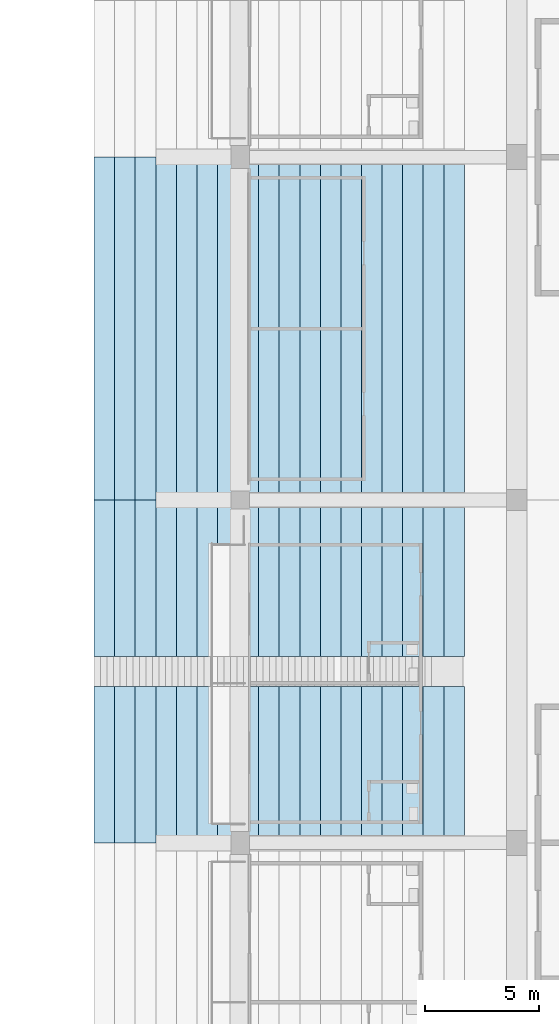
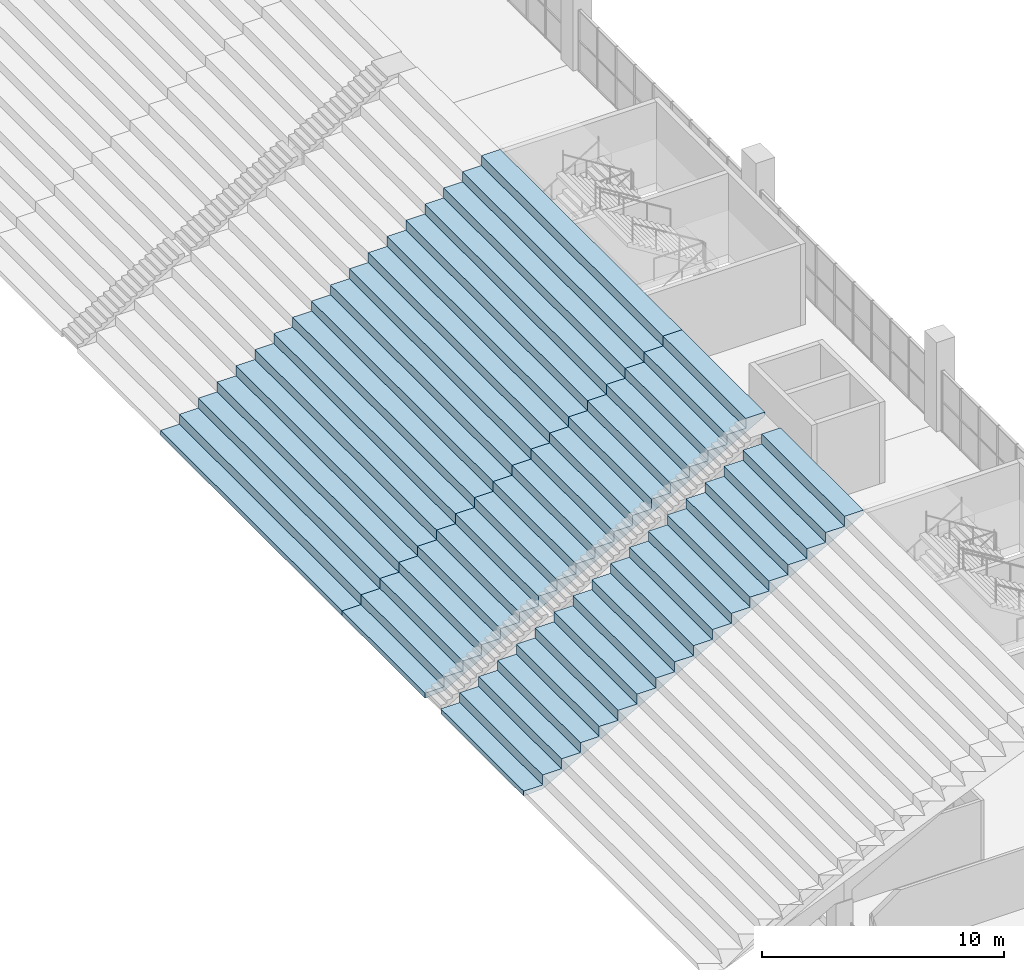
# One storey, part 122 of 249: 2 slabs.
"""IFC4 building model written with IfcOpenShell, lengths in metres."""

from ifc_helpers import new_model, si_unit, direction, frame, origin, place, context, subcontext, project, spatial, faceted_brep, material, layer, layer_set, type_object, element, save


model = new_model("IFC4")

# Units and contexts
model_context = context("Model", 3, precision=1e-05, world=origin(), true_north=direction((0.0, 1.0)))
body_context = subcontext(model_context, "Body", "Model", "MODEL_VIEW")
ifc_project = project(units=[si_unit("LENGTHUNIT", "METRE"), si_unit("AREAUNIT", "SQUARE_METRE"), si_unit("VOLUMEUNIT", "CUBIC_METRE"), si_unit("PLANEANGLEUNIT", "RADIAN"), si_unit("MASSUNIT", "GRAM", prefix="KILO")], contexts=[model_context])

# Site, building, storey
site_placement = place(None, origin())
site = spatial("IfcSite", under=ifc_project, at=site_placement, CompositionType="ELEMENT")
building_placement = place(site_placement, origin())
building = spatial("IfcBuilding", under=site, at=building_placement, Name="Ogive Plaza Stadium", CompositionType="ELEMENT")
storey_placement = place(building_placement, frame((0.0, 0.0, 13.5)))
storey = spatial("IfcBuildingStorey", under=building, at=storey_placement, Name="L03", CompositionType="ELEMENT", Elevation=13.5)

# Slabs
ifc_material = material(Name="Concrete C45/55 precast", Category="concrete")
ifc_layer = layer(ifc_material, 0.699951171875)
ifc_layer_set = layer_set([ifc_layer], Name="Concrete C45/55 precast")
slab_type = type_object("IfcSlabType", Name="Seating tier UT 700", PredefinedType="USERDEFINED", material=ifc_layer_set)
slab_1_placement = place(storey_placement, origin())
element("IfcSlab", 1, at=slab_1_placement, inside=storey, type_object=slab_type, Name="Stand UT B04", ObjectType="SEATING TIER", PredefinedType="USERDEFINED", context=body_context, shape_type="Brep", body=[
    faceted_brep([(55.5, -7.5, 0.5), (56.39990234375, -7.5, 0.5), (56.39990234375, 7.5, 0.5), (55.5, 7.5, 0.5), (56.39990234375, -7.5, 0.300048828125), (55.5, 7.5, 0.25), (56.39990234375, 7.5, 0.300048828125), (55.5, -7.5, 0.25), (56.39990234375, -7.5, 1.0), (56.39990234375, 7.5, 1.0), (57.300048828125, 7.5, 1.0), (57.300048828125, 7.5, 0.800048828125), (57.300048828125, 7.5, 1.5), (58.199951171875, 7.5, 1.5), (58.199951171875, 7.5, 1.300048828125), (58.199951171875, 7.5, 2.0), (59.10009765625, 7.5, 2.0), (59.10009765625, 7.5, 1.800048828125), (59.10009765625, 7.5, 2.5), (60.0, 7.5, 2.5), (60.0, 7.5, 2.300048828125), (60.0, 7.5, 3.0), (60.89990234375, 7.5, 3.0), (60.89990234375, 7.5, 2.800048828125), (60.89990234375, 7.5, 3.5), (61.800048828125, 7.5, 3.5), (61.800048828125, 7.5, 3.300048828125), (61.800048828125, 7.5, 4.0), (62.699951171875, 7.5, 4.0), (62.699951171875, 7.5, 3.800048828125), (62.699951171875, 7.5, 4.5), (63.60009765625, 7.5, 4.5), (63.60009765625, 7.5, 4.300048828125), (63.60009765625, 7.5, 5.0), (64.5, 7.5, 5.0), (64.5, 7.5, 4.800048828125), (64.5, 7.5, 5.5), (65.39990234375, 7.5, 5.5), (65.39990234375, 7.5, 5.300048828125), (65.39990234375, 7.5, 6.0), (66.300048828125, 7.5, 6.0), (66.300048828125, 7.5, 5.800048828125), (66.300048828125, 7.5, 6.5), (67.199951171875, 7.5, 6.5), (67.199951171875, 7.5, 6.300048828125), (67.199951171875, 7.5, 7.0), (68.10009765625, 7.5, 7.0), (68.10009765625, 7.5, 6.800048828125), (68.10009765625, 7.5, 7.5), (69.0, 7.5, 7.5), (69.0, 7.5, 7.300048828125), (69.0, 7.5, 8.0), (69.89990234375, 7.5, 8.0), (69.89990234375, 7.5, 7.800048828125), (69.89990234375, 7.5, 8.5), (70.800048828125, 7.5, 8.5), (70.800048828125, 7.5, 8.300048828125), (70.800048828125, 7.5, 9.0), (71.699951171875, 7.5, 9.0), (71.699951171875, 7.5, 8.800048828125), (57.300048828125, -7.5, 1.0), (57.300048828125, -7.5, 0.800048828125), (58.199951171875, -7.5, 1.5), (57.300048828125, -7.5, 1.5), (58.199951171875, -7.5, 1.300048828125), (59.10009765625, -7.5, 2.0), (58.199951171875, -7.5, 2.0), (59.10009765625, -7.5, 1.800048828125), (60.0, -7.5, 2.5), (59.10009765625, -7.5, 2.5), (60.0, -7.5, 2.300048828125), (60.89990234375, -7.5, 3.0), (60.0, -7.5, 3.0), (60.89990234375, -7.5, 2.800048828125), (61.800048828125, -7.5, 3.5), (60.89990234375, -7.5, 3.5), (61.800048828125, -7.5, 3.300048828125), (62.699951171875, -7.5, 4.0), (61.800048828125, -7.5, 4.0), (62.699951171875, -7.5, 3.800048828125), (63.60009765625, -7.5, 4.5), (62.699951171875, -7.5, 4.5), (63.60009765625, -7.5, 4.300048828125), (64.5, -7.5, 5.0), (63.60009765625, -7.5, 5.0), (64.5, -7.5, 4.800048828125), (65.39990234375, -7.5, 5.5), (64.5, -7.5, 5.5), (65.39990234375, -7.5, 5.300048828125), (66.300048828125, -7.5, 6.0), (65.39990234375, -7.5, 6.0), (66.300048828125, -7.5, 5.800048828125), (67.199951171875, -7.5, 6.5), (66.300048828125, -7.5, 6.5), (67.199951171875, -7.5, 6.300048828125), (68.10009765625, -7.5, 7.0), (67.199951171875, -7.5, 7.0), (68.10009765625, -7.5, 6.800048828125), (69.0, -7.5, 7.5), (68.10009765625, -7.5, 7.5), (69.0, -7.5, 7.300048828125), (69.89990234375, -7.5, 8.0), (69.0, -7.5, 8.0), (69.89990234375, -7.5, 7.800048828125), (70.800048828125, -7.5, 8.5), (69.89990234375, -7.5, 8.5), (70.800048828125, -7.5, 8.300048828125), (71.699951171875, -7.5, 9.0), (70.800048828125, -7.5, 9.0), (71.699951171875, -7.5, 8.800048828125)], [[[0, 1, 2]], [[2, 3, 0]], [[4, 5, 6]], [[4, 7, 5]], [[1, 8, 9]], [[9, 2, 1]], [[6, 5, 3]], [[6, 3, 2]], [[2, 9, 10]], [[10, 11, 6]], [[6, 2, 10]], [[10, 12, 13]], [[13, 14, 11]], [[11, 10, 13]], [[13, 15, 16]], [[16, 17, 14]], [[14, 13, 16]], [[16, 18, 19]], [[19, 20, 17]], [[17, 16, 19]], [[19, 21, 22]], [[22, 23, 20]], [[20, 19, 22]], [[22, 24, 25]], [[25, 26, 23]], [[23, 22, 25]], [[25, 27, 28]], [[28, 29, 26]], [[26, 25, 28]], [[28, 30, 31]], [[31, 32, 29]], [[29, 28, 31]], [[31, 33, 34]], [[34, 35, 32]], [[32, 31, 34]], [[34, 36, 37]], [[37, 38, 35]], [[35, 34, 37]], [[37, 39, 40]], [[40, 41, 38]], [[38, 37, 40]], [[40, 42, 43]], [[43, 44, 41]], [[41, 40, 43]], [[43, 45, 46]], [[46, 47, 44]], [[44, 43, 46]], [[46, 48, 49]], [[49, 50, 47]], [[47, 46, 49]], [[49, 51, 52]], [[52, 53, 50]], [[50, 49, 52]], [[52, 54, 55]], [[55, 56, 53]], [[53, 52, 55]], [[55, 57, 58]], [[58, 59, 56]], [[56, 55, 58]], [[3, 5, 7]], [[7, 0, 3]], [[0, 7, 4]], [[4, 1, 0]], [[60, 8, 1]], [[1, 4, 61]], [[61, 60, 1]], [[62, 63, 60]], [[60, 61, 64]], [[64, 62, 60]], [[65, 66, 62]], [[62, 64, 67]], [[67, 65, 62]], [[68, 69, 65]], [[65, 67, 70]], [[70, 68, 65]], [[71, 72, 68]], [[68, 70, 73]], [[73, 71, 68]], [[74, 75, 71]], [[71, 73, 76]], [[76, 74, 71]], [[77, 78, 74]], [[74, 76, 79]], [[79, 77, 74]], [[80, 81, 77]], [[77, 79, 82]], [[82, 80, 77]], [[83, 84, 80]], [[80, 82, 85]], [[85, 83, 80]], [[86, 87, 83]], [[83, 85, 88]], [[88, 86, 83]], [[89, 90, 86]], [[86, 88, 91]], [[91, 89, 86]], [[92, 93, 89]], [[89, 91, 94]], [[94, 92, 89]], [[95, 96, 92]], [[92, 94, 97]], [[97, 95, 92]], [[98, 99, 95]], [[95, 97, 100]], [[100, 98, 95]], [[101, 102, 98]], [[98, 100, 103]], [[103, 101, 98]], [[104, 105, 101]], [[101, 103, 106]], [[106, 104, 101]], [[107, 108, 104]], [[104, 106, 109]], [[109, 107, 104]], [[8, 60, 10]], [[10, 9, 8]], [[61, 6, 11]], [[61, 4, 6]], [[64, 11, 14]], [[64, 61, 11]], [[67, 14, 17]], [[67, 64, 14]], [[70, 17, 20]], [[70, 67, 17]], [[73, 20, 23]], [[73, 70, 20]], [[76, 23, 26]], [[76, 73, 23]], [[79, 26, 29]], [[79, 76, 26]], [[82, 29, 32]], [[82, 79, 29]], [[85, 32, 35]], [[85, 82, 32]], [[88, 35, 38]], [[88, 85, 35]], [[91, 38, 41]], [[91, 88, 38]], [[94, 41, 44]], [[94, 91, 41]], [[97, 44, 47]], [[97, 94, 44]], [[100, 47, 50]], [[100, 97, 47]], [[60, 63, 12]], [[12, 10, 60]], [[63, 62, 13]], [[13, 12, 63]], [[62, 66, 15]], [[15, 13, 62]], [[66, 65, 16]], [[16, 15, 66]], [[65, 69, 18]], [[18, 16, 65]], [[69, 68, 19]], [[19, 18, 69]], [[68, 72, 21]], [[21, 19, 68]], [[72, 71, 22]], [[22, 21, 72]], [[71, 75, 24]], [[24, 22, 71]], [[75, 74, 25]], [[25, 24, 75]], [[74, 78, 27]], [[27, 25, 74]], [[78, 77, 28]], [[28, 27, 78]], [[77, 81, 30]], [[30, 28, 77]], [[81, 80, 31]], [[31, 30, 81]], [[80, 84, 33]], [[33, 31, 80]], [[84, 83, 34]], [[34, 33, 84]], [[83, 87, 36]], [[36, 34, 83]], [[87, 86, 37]], [[37, 36, 87]], [[86, 90, 39]], [[39, 37, 86]], [[90, 89, 40]], [[40, 39, 90]], [[89, 93, 42]], [[42, 40, 89]], [[93, 92, 43]], [[43, 42, 93]], [[92, 96, 45]], [[45, 43, 92]], [[96, 95, 46]], [[46, 45, 96]], [[95, 99, 48]], [[48, 46, 95]], [[99, 98, 49]], [[49, 48, 99]], [[98, 102, 51]], [[51, 49, 98]], [[102, 101, 52]], [[52, 51, 102]], [[103, 50, 53]], [[103, 100, 50]], [[106, 53, 56]], [[106, 103, 53]], [[109, 56, 59]], [[109, 106, 56]], [[101, 105, 54]], [[54, 52, 101]], [[105, 104, 55]], [[55, 54, 105]], [[104, 108, 57]], [[57, 55, 104]], [[108, 107, 58]], [[58, 57, 108]], [[107, 109, 59]], [[59, 58, 107]]]),
])
slab_2_placement = place(storey_placement, origin())
element("IfcSlab", 2, at=slab_2_placement, inside=storey, type_object=slab_type, Name="Stand UT B05", ObjectType="SEATING TIER", PredefinedType="USERDEFINED", context=body_context, shape_type="Brep", body=[
    faceted_brep([(55.5, -14.35009765625, 0.5), (56.39990234375, -14.35009765625, 0.5), (56.39990234375, -7.5, 0.5), (55.5, -7.5, 0.5), (55.5, -22.5, 0.5), (56.39990234375, -22.5, 0.5), (56.39990234375, -15.64990234375, 0.5), (55.5, -15.64990234375, 0.5), (56.39990234375, -14.35009765625, 0.300048828125), (55.5, -7.5, 0.25), (56.39990234375, -7.5, 0.300048828125), (55.5, -14.35009765625, 0.25), (56.39990234375, -22.5, 0.300048828125), (55.5, -15.64990234375, 0.25), (56.39990234375, -15.64990234375, 0.300048828125), (55.5, -22.5, 0.25), (56.39990234375, -14.35009765625, 1.0), (56.39990234375, -7.5, 1.0), (56.39990234375, -22.5, 1.0), (56.39990234375, -15.64990234375, 1.0), (57.300048828125, -7.5, 1.0), (57.300048828125, -7.5, 0.800048828125), (57.300048828125, -7.5, 1.5), (58.199951171875, -7.5, 1.5), (58.199951171875, -7.5, 1.300048828125), (58.199951171875, -7.5, 2.0), (59.10009765625, -7.5, 2.0), (59.10009765625, -7.5, 1.800048828125), (59.10009765625, -7.5, 2.5), (60.0, -7.5, 2.5), (60.0, -7.5, 2.300048828125), (60.0, -7.5, 3.0), (60.89990234375, -7.5, 3.0), (60.89990234375, -7.5, 2.800048828125), (60.89990234375, -7.5, 3.5), (61.800048828125, -7.5, 3.5), (61.800048828125, -7.5, 3.300048828125), (61.800048828125, -7.5, 4.0), (62.699951171875, -7.5, 4.0), (62.699951171875, -7.5, 3.800048828125), (62.699951171875, -7.5, 4.5), (63.60009765625, -7.5, 4.5), (63.60009765625, -7.5, 4.300048828125), (63.60009765625, -7.5, 5.0), (64.5, -7.5, 5.0), (64.5, -7.5, 4.800048828125), (64.5, -7.5, 5.5), (65.39990234375, -7.5, 5.5), (65.39990234375, -7.5, 5.300048828125), (65.39990234375, -7.5, 6.0), (66.300048828125, -7.5, 6.0), (66.300048828125, -7.5, 5.800048828125), (66.300048828125, -7.5, 6.5), (67.199951171875, -7.5, 6.5), (67.199951171875, -7.5, 6.300048828125), (67.199951171875, -7.5, 7.0), (68.10009765625, -7.5, 7.0), (68.10009765625, -7.5, 6.800048828125), (68.10009765625, -7.5, 7.5), (69.0, -7.5, 7.5), (69.0, -7.5, 7.300048828125), (69.0, -7.5, 8.0), (69.89990234375, -7.5, 8.0), (69.89990234375, -7.5, 7.800048828125), (69.89990234375, -7.5, 8.5), (70.800048828125, -7.5, 8.5), (70.800048828125, -7.5, 8.300048828125), (70.800048828125, -7.5, 9.0), (71.699951171875, -7.5, 9.0), (71.699951171875, -7.5, 8.800048828125), (57.300048828125, -14.35009765625, 1.0), (57.300048828125, -14.35009765625, 0.800048828125), (58.199951171875, -14.35009765625, 1.5), (57.300048828125, -14.35009765625, 1.5), (58.199951171875, -14.35009765625, 1.300048828125), (59.10009765625, -14.35009765625, 2.0), (58.199951171875, -14.35009765625, 2.0), (59.10009765625, -14.35009765625, 1.800048828125), (60.0, -14.35009765625, 2.5), (59.10009765625, -14.35009765625, 2.5), (60.0, -14.35009765625, 2.300048828125), (60.89990234375, -14.35009765625, 3.0), (60.0, -14.35009765625, 3.0), (60.89990234375, -14.35009765625, 2.800048828125), (61.800048828125, -14.35009765625, 3.5), (60.89990234375, -14.35009765625, 3.5), (61.800048828125, -14.35009765625, 3.300048828125), (62.699951171875, -14.35009765625, 4.0), (61.800048828125, -14.35009765625, 4.0), (62.699951171875, -14.35009765625, 3.800048828125), (63.60009765625, -14.35009765625, 4.5), (62.699951171875, -14.35009765625, 4.5), (63.60009765625, -14.35009765625, 4.300048828125), (64.5, -14.35009765625, 5.0), (63.60009765625, -14.35009765625, 5.0), (64.5, -14.35009765625, 4.800048828125), (65.39990234375, -14.35009765625, 5.5), (64.5, -14.35009765625, 5.5), (65.39990234375, -14.35009765625, 5.300048828125), (66.300048828125, -14.35009765625, 6.0), (65.39990234375, -14.35009765625, 6.0), (66.300048828125, -14.35009765625, 5.800048828125), (67.199951171875, -14.35009765625, 6.5), (66.300048828125, -14.35009765625, 6.5), (67.199951171875, -14.35009765625, 6.300048828125), (68.10009765625, -14.35009765625, 7.0), (67.199951171875, -14.35009765625, 7.0), (68.10009765625, -14.35009765625, 6.800048828125), (69.0, -14.35009765625, 7.5), (68.10009765625, -14.35009765625, 7.5), (69.0, -14.35009765625, 7.300048828125), (69.89990234375, -14.35009765625, 8.0), (69.0, -14.35009765625, 8.0), (69.89990234375, -14.35009765625, 7.800048828125), (70.800048828125, -14.35009765625, 8.5), (69.89990234375, -14.35009765625, 8.5), (70.800048828125, -14.35009765625, 8.300048828125), (71.699951171875, -14.35009765625, 9.0), (70.800048828125, -14.35009765625, 9.0), (71.699951171875, -14.35009765625, 8.800048828125), (57.300048828125, -15.64990234375, 1.0), (57.300048828125, -15.64990234375, 0.800048828125), (57.300048828125, -15.64990234375, 1.5), (58.199951171875, -15.64990234375, 1.5), (58.199951171875, -15.64990234375, 1.300048828125), (58.199951171875, -15.64990234375, 2.0), (59.10009765625, -15.64990234375, 2.0), (59.10009765625, -15.64990234375, 1.800048828125), (59.10009765625, -15.64990234375, 2.5), (60.0, -15.64990234375, 2.5), (60.0, -15.64990234375, 2.300048828125), (60.0, -15.64990234375, 3.0), (60.89990234375, -15.64990234375, 3.0), (60.89990234375, -15.64990234375, 2.800048828125), (60.89990234375, -15.64990234375, 3.5), (61.800048828125, -15.64990234375, 3.5), (61.800048828125, -15.64990234375, 3.300048828125), (61.800048828125, -15.64990234375, 4.0), (62.699951171875, -15.64990234375, 4.0), (62.699951171875, -15.64990234375, 3.800048828125), (62.699951171875, -15.64990234375, 4.5), (63.60009765625, -15.64990234375, 4.5), (63.60009765625, -15.64990234375, 4.300048828125), (63.60009765625, -15.64990234375, 5.0), (64.5, -15.64990234375, 5.0), (64.5, -15.64990234375, 4.800048828125), (64.5, -15.64990234375, 5.5), (65.39990234375, -15.64990234375, 5.5), (65.39990234375, -15.64990234375, 5.300048828125), (65.39990234375, -15.64990234375, 6.0), (66.300048828125, -15.64990234375, 6.0), (66.300048828125, -15.64990234375, 5.800048828125), (66.300048828125, -15.64990234375, 6.5), (67.199951171875, -15.64990234375, 6.5), (67.199951171875, -15.64990234375, 6.300048828125), (67.199951171875, -15.64990234375, 7.0), (68.10009765625, -15.64990234375, 7.0), (68.10009765625, -15.64990234375, 6.800048828125), (68.10009765625, -15.64990234375, 7.5), (69.0, -15.64990234375, 7.5), (69.0, -15.64990234375, 7.300048828125), (69.0, -15.64990234375, 8.0), (69.89990234375, -15.64990234375, 8.0), (69.89990234375, -15.64990234375, 7.800048828125), (69.89990234375, -15.64990234375, 8.5), (70.800048828125, -15.64990234375, 8.5), (70.800048828125, -15.64990234375, 8.300048828125), (70.800048828125, -15.64990234375, 9.0), (71.699951171875, -15.64990234375, 9.0), (71.699951171875, -15.64990234375, 8.800048828125), (57.300048828125, -22.5, 1.0), (57.300048828125, -22.5, 0.800048828125), (58.199951171875, -22.5, 1.5), (57.300048828125, -22.5, 1.5), (58.199951171875, -22.5, 1.300048828125), (59.10009765625, -22.5, 2.0), (58.199951171875, -22.5, 2.0), (59.10009765625, -22.5, 1.800048828125), (60.0, -22.5, 2.5), (59.10009765625, -22.5, 2.5), (60.0, -22.5, 2.300048828125), (60.89990234375, -22.5, 3.0), (60.0, -22.5, 3.0), (60.89990234375, -22.5, 2.800048828125), (61.800048828125, -22.5, 3.5), (60.89990234375, -22.5, 3.5), (61.800048828125, -22.5, 3.300048828125), (62.699951171875, -22.5, 4.0), (61.800048828125, -22.5, 4.0), (62.699951171875, -22.5, 3.800048828125), (63.60009765625, -22.5, 4.5), (62.699951171875, -22.5, 4.5), (63.60009765625, -22.5, 4.300048828125), (64.5, -22.5, 5.0), (63.60009765625, -22.5, 5.0), (64.5, -22.5, 4.800048828125), (65.39990234375, -22.5, 5.5), (64.5, -22.5, 5.5), (65.39990234375, -22.5, 5.300048828125), (66.300048828125, -22.5, 6.0), (65.39990234375, -22.5, 6.0), (66.300048828125, -22.5, 5.800048828125), (67.199951171875, -22.5, 6.5), (66.300048828125, -22.5, 6.5), (67.199951171875, -22.5, 6.300048828125), (68.10009765625, -22.5, 7.0), (67.199951171875, -22.5, 7.0), (68.10009765625, -22.5, 6.800048828125), (69.0, -22.5, 7.5), (68.10009765625, -22.5, 7.5), (69.0, -22.5, 7.300048828125), (69.89990234375, -22.5, 8.0), (69.0, -22.5, 8.0), (69.89990234375, -22.5, 7.800048828125), (70.800048828125, -22.5, 8.5), (69.89990234375, -22.5, 8.5), (70.800048828125, -22.5, 8.300048828125), (71.699951171875, -22.5, 9.0), (70.800048828125, -22.5, 9.0), (71.699951171875, -22.5, 8.800048828125)], [[[0, 1, 2]], [[2, 3, 0]], [[4, 5, 6]], [[6, 7, 4]], [[8, 9, 10]], [[8, 11, 9]], [[12, 13, 14]], [[12, 15, 13]], [[1, 16, 17]], [[17, 2, 1]], [[5, 18, 19]], [[19, 6, 5]], [[10, 9, 3]], [[10, 3, 2]], [[2, 17, 20]], [[20, 21, 10]], [[10, 2, 20]], [[20, 22, 23]], [[23, 24, 21]], [[21, 20, 23]], [[23, 25, 26]], [[26, 27, 24]], [[24, 23, 26]], [[26, 28, 29]], [[29, 30, 27]], [[27, 26, 29]], [[29, 31, 32]], [[32, 33, 30]], [[30, 29, 32]], [[32, 34, 35]], [[35, 36, 33]], [[33, 32, 35]], [[35, 37, 38]], [[38, 39, 36]], [[36, 35, 38]], [[38, 40, 41]], [[41, 42, 39]], [[39, 38, 41]], [[41, 43, 44]], [[44, 45, 42]], [[42, 41, 44]], [[44, 46, 47]], [[47, 48, 45]], [[45, 44, 47]], [[47, 49, 50]], [[50, 51, 48]], [[48, 47, 50]], [[50, 52, 53]], [[53, 54, 51]], [[51, 50, 53]], [[53, 55, 56]], [[56, 57, 54]], [[54, 53, 56]], [[56, 58, 59]], [[59, 60, 57]], [[57, 56, 59]], [[59, 61, 62]], [[62, 63, 60]], [[60, 59, 62]], [[62, 64, 65]], [[65, 66, 63]], [[63, 62, 65]], [[65, 67, 68]], [[68, 69, 66]], [[66, 65, 68]], [[3, 9, 11]], [[11, 0, 3]], [[7, 13, 15]], [[15, 4, 7]], [[0, 11, 8]], [[8, 1, 0]], [[70, 16, 1]], [[1, 8, 71]], [[71, 70, 1]], [[72, 73, 70]], [[70, 71, 74]], [[74, 72, 70]], [[75, 76, 72]], [[72, 74, 77]], [[77, 75, 72]], [[78, 79, 75]], [[75, 77, 80]], [[80, 78, 75]], [[81, 82, 78]], [[78, 80, 83]], [[83, 81, 78]], [[84, 85, 81]], [[81, 83, 86]], [[86, 84, 81]], [[87, 88, 84]], [[84, 86, 89]], [[89, 87, 84]], [[90, 91, 87]], [[87, 89, 92]], [[92, 90, 87]], [[93, 94, 90]], [[90, 92, 95]], [[95, 93, 90]], [[96, 97, 93]], [[93, 95, 98]], [[98, 96, 93]], [[99, 100, 96]], [[96, 98, 101]], [[101, 99, 96]], [[102, 103, 99]], [[99, 101, 104]], [[104, 102, 99]], [[105, 106, 102]], [[102, 104, 107]], [[107, 105, 102]], [[108, 109, 105]], [[105, 107, 110]], [[110, 108, 105]], [[111, 112, 108]], [[108, 110, 113]], [[113, 111, 108]], [[114, 115, 111]], [[111, 113, 116]], [[116, 114, 111]], [[117, 118, 114]], [[114, 116, 119]], [[119, 117, 114]], [[14, 13, 7]], [[14, 7, 6]], [[6, 19, 120]], [[120, 121, 14]], [[14, 6, 120]], [[120, 122, 123]], [[123, 124, 121]], [[121, 120, 123]], [[123, 125, 126]], [[126, 127, 124]], [[124, 123, 126]], [[126, 128, 129]], [[129, 130, 127]], [[127, 126, 129]], [[129, 131, 132]], [[132, 133, 130]], [[130, 129, 132]], [[132, 134, 135]], [[135, 136, 133]], [[133, 132, 135]], [[135, 137, 138]], [[138, 139, 136]], [[136, 135, 138]], [[138, 140, 141]], [[141, 142, 139]], [[139, 138, 141]], [[141, 143, 144]], [[144, 145, 142]], [[142, 141, 144]], [[144, 146, 147]], [[147, 148, 145]], [[145, 144, 147]], [[147, 149, 150]], [[150, 151, 148]], [[148, 147, 150]], [[150, 152, 153]], [[153, 154, 151]], [[151, 150, 153]], [[153, 155, 156]], [[156, 157, 154]], [[154, 153, 156]], [[156, 158, 159]], [[159, 160, 157]], [[157, 156, 159]], [[159, 161, 162]], [[162, 163, 160]], [[160, 159, 162]], [[162, 164, 165]], [[165, 166, 163]], [[163, 162, 165]], [[165, 167, 168]], [[168, 169, 166]], [[166, 165, 168]], [[4, 15, 12]], [[12, 5, 4]], [[170, 18, 5]], [[5, 12, 171]], [[171, 170, 5]], [[172, 173, 170]], [[170, 171, 174]], [[174, 172, 170]], [[175, 176, 172]], [[172, 174, 177]], [[177, 175, 172]], [[178, 179, 175]], [[175, 177, 180]], [[180, 178, 175]], [[181, 182, 178]], [[178, 180, 183]], [[183, 181, 178]], [[184, 185, 181]], [[181, 183, 186]], [[186, 184, 181]], [[187, 188, 184]], [[184, 186, 189]], [[189, 187, 184]], [[190, 191, 187]], [[187, 189, 192]], [[192, 190, 187]], [[193, 194, 190]], [[190, 192, 195]], [[195, 193, 190]], [[196, 197, 193]], [[193, 195, 198]], [[198, 196, 193]], [[199, 200, 196]], [[196, 198, 201]], [[201, 199, 196]], [[202, 203, 199]], [[199, 201, 204]], [[204, 202, 199]], [[205, 206, 202]], [[202, 204, 207]], [[207, 205, 202]], [[208, 209, 205]], [[205, 207, 210]], [[210, 208, 205]], [[211, 212, 208]], [[208, 210, 213]], [[213, 211, 208]], [[214, 215, 211]], [[211, 213, 216]], [[216, 214, 211]], [[217, 218, 214]], [[214, 216, 219]], [[219, 217, 214]], [[16, 70, 20]], [[20, 17, 16]], [[18, 170, 120]], [[120, 19, 18]], [[71, 10, 21]], [[71, 8, 10]], [[171, 14, 121]], [[171, 12, 14]], [[74, 21, 24]], [[74, 71, 21]], [[174, 121, 124]], [[174, 171, 121]], [[77, 24, 27]], [[77, 74, 24]], [[177, 124, 127]], [[177, 174, 124]], [[80, 27, 30]], [[80, 77, 27]], [[180, 127, 130]], [[180, 177, 127]], [[83, 30, 33]], [[83, 80, 30]], [[183, 130, 133]], [[183, 180, 130]], [[86, 33, 36]], [[86, 83, 33]], [[186, 133, 136]], [[186, 183, 133]], [[89, 36, 39]], [[89, 86, 36]], [[189, 136, 139]], [[189, 186, 136]], [[92, 39, 42]], [[92, 89, 39]], [[192, 139, 142]], [[192, 189, 139]], [[95, 42, 45]], [[95, 92, 42]], [[195, 142, 145]], [[195, 192, 142]], [[98, 45, 48]], [[98, 95, 45]], [[198, 145, 148]], [[198, 195, 145]], [[101, 48, 51]], [[101, 98, 48]], [[201, 148, 151]], [[201, 198, 148]], [[104, 51, 54]], [[104, 101, 51]], [[204, 151, 154]], [[204, 201, 151]], [[107, 54, 57]], [[107, 104, 54]], [[207, 154, 157]], [[207, 204, 154]], [[110, 57, 60]], [[110, 107, 57]], [[210, 157, 160]], [[210, 207, 157]], [[70, 73, 22]], [[22, 20, 70]], [[170, 173, 122]], [[122, 120, 170]], [[73, 72, 23]], [[23, 22, 73]], [[173, 172, 123]], [[123, 122, 173]], [[72, 76, 25]], [[25, 23, 72]], [[172, 176, 125]], [[125, 123, 172]], [[76, 75, 26]], [[26, 25, 76]], [[176, 175, 126]], [[126, 125, 176]], [[75, 79, 28]], [[28, 26, 75]], [[175, 179, 128]], [[128, 126, 175]], [[79, 78, 29]], [[29, 28, 79]], [[179, 178, 129]], [[129, 128, 179]], [[78, 82, 31]], [[31, 29, 78]], [[178, 182, 131]], [[131, 129, 178]], [[82, 81, 32]], [[32, 31, 82]], [[182, 181, 132]], [[132, 131, 182]], [[81, 85, 34]], [[34, 32, 81]], [[181, 185, 134]], [[134, 132, 181]], [[85, 84, 35]], [[35, 34, 85]], [[185, 184, 135]], [[135, 134, 185]], [[84, 88, 37]], [[37, 35, 84]], [[184, 188, 137]], [[137, 135, 184]], [[88, 87, 38]], [[38, 37, 88]], [[188, 187, 138]], [[138, 137, 188]], [[87, 91, 40]], [[40, 38, 87]], [[187, 191, 140]], [[140, 138, 187]], [[91, 90, 41]], [[41, 40, 91]], [[191, 190, 141]], [[141, 140, 191]], [[90, 94, 43]], [[43, 41, 90]], [[190, 194, 143]], [[143, 141, 190]], [[94, 93, 44]], [[44, 43, 94]], [[194, 193, 144]], [[144, 143, 194]], [[93, 97, 46]], [[46, 44, 93]], [[193, 197, 146]], [[146, 144, 193]], [[97, 96, 47]], [[47, 46, 97]], [[197, 196, 147]], [[147, 146, 197]], [[96, 100, 49]], [[49, 47, 96]], [[196, 200, 149]], [[149, 147, 196]], [[100, 99, 50]], [[50, 49, 100]], [[200, 199, 150]], [[150, 149, 200]], [[99, 103, 52]], [[52, 50, 99]], [[199, 203, 152]], [[152, 150, 199]], [[103, 102, 53]], [[53, 52, 103]], [[203, 202, 153]], [[153, 152, 203]], [[102, 106, 55]], [[55, 53, 102]], [[202, 206, 155]], [[155, 153, 202]], [[106, 105, 56]], [[56, 55, 106]], [[206, 205, 156]], [[156, 155, 206]], [[105, 109, 58]], [[58, 56, 105]], [[205, 209, 158]], [[158, 156, 205]], [[109, 108, 59]], [[59, 58, 109]], [[209, 208, 159]], [[159, 158, 209]], [[108, 112, 61]], [[61, 59, 108]], [[208, 212, 161]], [[161, 159, 208]], [[112, 111, 62]], [[62, 61, 112]], [[212, 211, 162]], [[162, 161, 212]], [[113, 60, 63]], [[113, 110, 60]], [[213, 160, 163]], [[213, 210, 160]], [[116, 63, 66]], [[116, 113, 63]], [[216, 163, 166]], [[216, 213, 163]], [[119, 66, 69]], [[119, 116, 66]], [[219, 166, 169]], [[219, 216, 166]], [[111, 115, 64]], [[64, 62, 111]], [[211, 215, 164]], [[164, 162, 211]], [[115, 114, 65]], [[65, 64, 115]], [[215, 214, 165]], [[165, 164, 215]], [[114, 118, 67]], [[67, 65, 114]], [[214, 218, 167]], [[167, 165, 214]], [[118, 117, 68]], [[68, 67, 118]], [[218, 217, 168]], [[168, 167, 218]], [[117, 119, 69]], [[69, 68, 117]], [[217, 219, 169]], [[169, 168, 217]]]),
])

save(model, "model.ifc")
